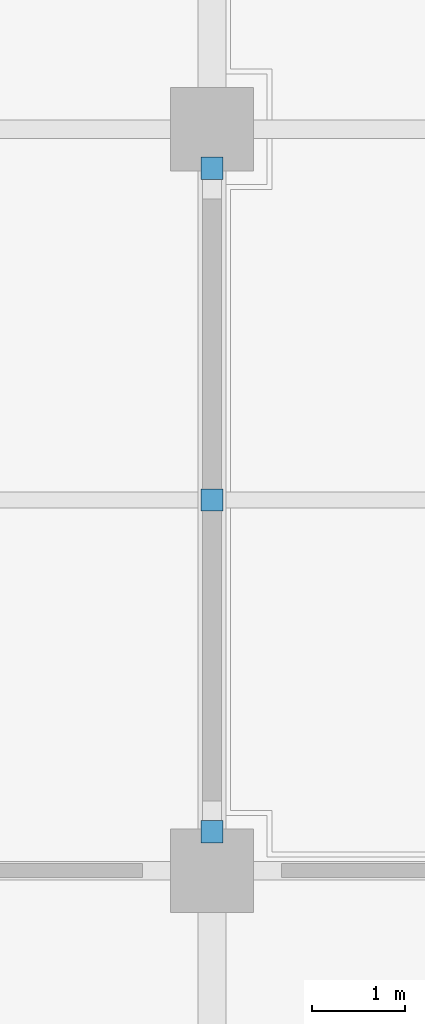
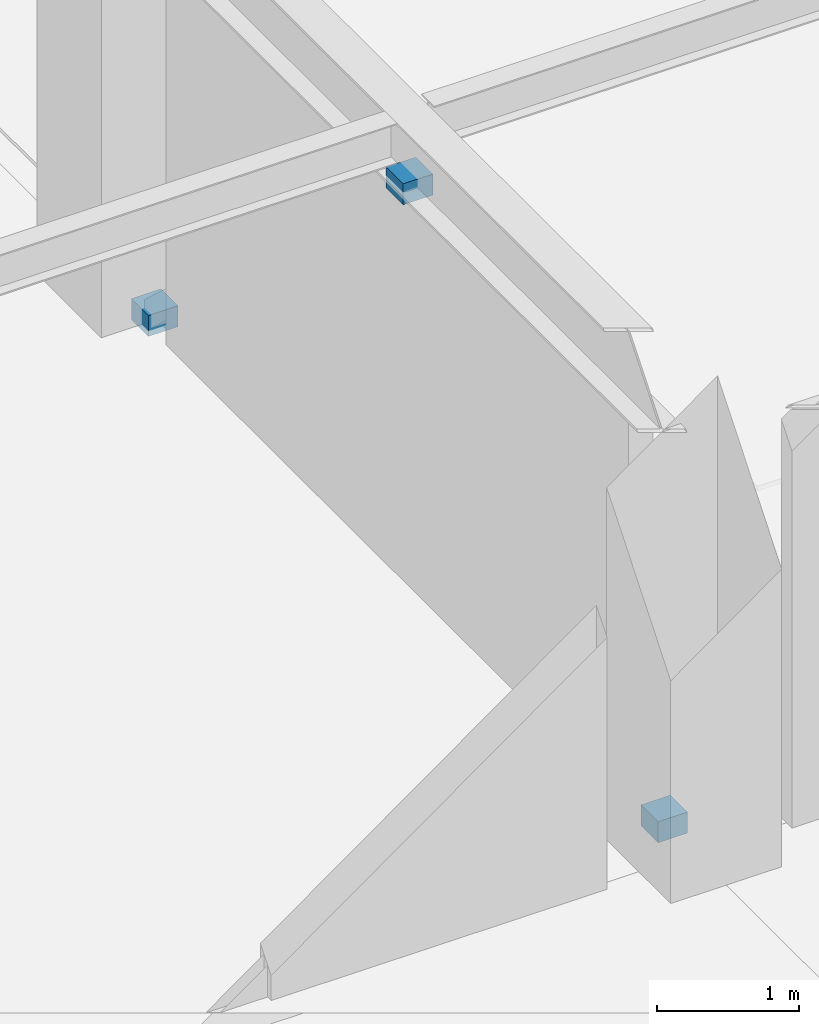
# One storey, part 105 of 118: 3 discrete accessories.
"""IFC4 building model written with IfcOpenShell, lengths in metres."""

from ifc_helpers import new_model, si_unit, direction, frame, origin, origin_2d, place, context, subcontext, project, spatial, rectangle, extrude, material, layer, layer_set, type_object, element, save


model = new_model("IFC4")

# Units and contexts
model_context = context("Model", 3, precision=1e-05, world=origin(), true_north=direction((0.0, 1.0)))
body_context = subcontext(model_context, "Body", "Model", "MODEL_VIEW")
ifc_project = project(units=[si_unit("LENGTHUNIT", "METRE"), si_unit("AREAUNIT", "SQUARE_METRE"), si_unit("VOLUMEUNIT", "CUBIC_METRE"), si_unit("PLANEANGLEUNIT", "RADIAN"), si_unit("MASSUNIT", "GRAM", prefix="KILO")], contexts=[model_context])

# Site, building, storey
site_placement = place(None, origin())
site = spatial("IfcSite", under=ifc_project, at=site_placement, CompositionType="ELEMENT")
building_placement = place(site_placement, origin())
building = spatial("IfcBuilding", under=site, at=building_placement, Name="Haebicheon Civic Stadium", CompositionType="ELEMENT")
storey_placement = place(building_placement, frame((0.0, 0.0, 14.39990234375)))
storey = spatial("IfcBuildingStorey", under=building, at=storey_placement, Name="L04", CompositionType="ELEMENT", Elevation=14.39990234375)

# Discrete accessories
ifc_material = material(Name="White painted steel SM490", Category="steel")
ifc_layer = layer(ifc_material, 0.179931640625, Name="White painted steel SM490")
ifc_layer_set = layer_set([ifc_layer], Name="White painted steel SM490")
discrete_accessory_type = type_object("IfcDiscreteAccessoryType", Name="BRK-END-PLT", PredefinedType="BRACKET", material=ifc_layer_set)
for number, where, z_axis, x_axis, name in (
    (1, (160.0, 128.419921875, -0.0498046875), (0.0, 0.0, 1.0), (1.0, 0.0, 0.0), "Brace L04-19-16 bolted end connection plate"),
    (2, (160.0, 135.580078125, -0.0498046875), (0.0, 0.0, 1.0), (1.0, 0.0, 0.0), "Brace L04-19-16 bolted end connection plate"),
    (3, (160.0, 132.0, 3.25), (0.0, 0.0, 1.0), (1.0, 0.0, 0.0), "Brace L04-19-16 bolted end connection plate"),
):
    element("IfcDiscreteAccessory", number, at=place(storey_placement, frame(where, z_axis=z_axis, x_axis=x_axis)), inside=storey, type_object=discrete_accessory_type, material=ifc_layer_set, Name=name, PredefinedType="BRACKET", context=body_context, shape_type="SweptSolid", body=[
        extrude(rectangle(XDim=0.239990234375, YDim=0.239990234375, at=origin_2d()), origin(), (0.0, 0.0, 1.0), 0.179931640625),
    ])

save(model, "model.ifc")
